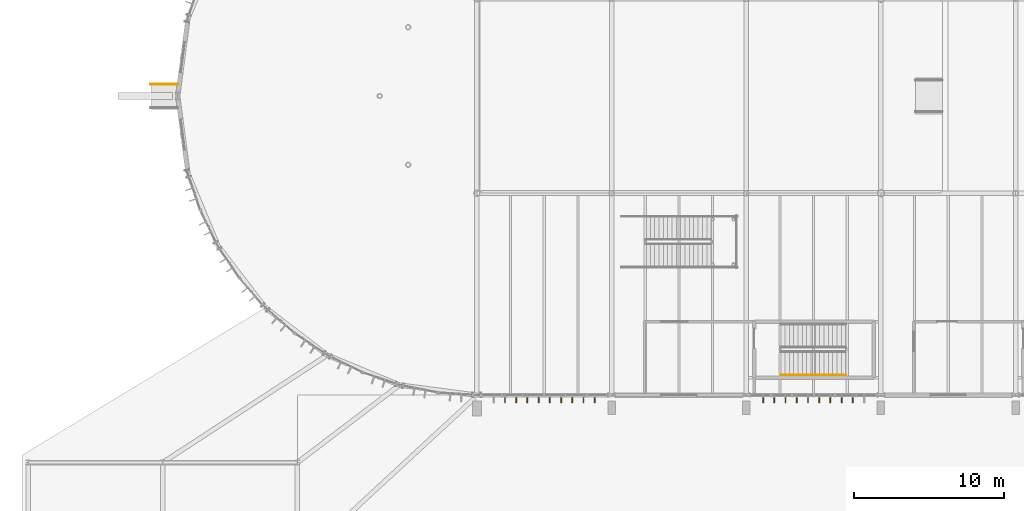
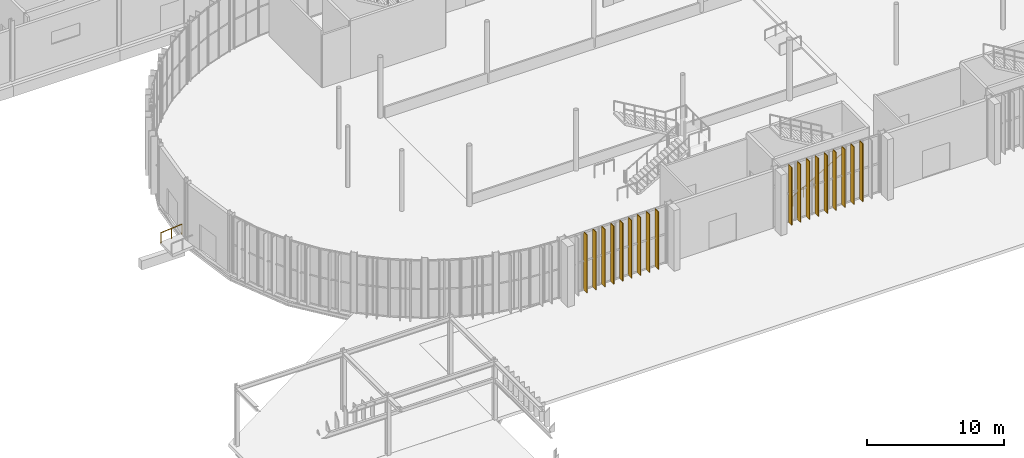
# One storey, part 141 of 158: 18 coverings, 2 railings, 1 element without a shape of its own.
"""IFC4 building model written with IfcOpenShell, lengths in metres."""

from ifc_helpers import new_model, si_unit, derived_unit, direction, frame, origin, origin_2d, place, context, subcontext, project, spatial, rectangle, circle, extrude, material, layer, layer_set, type_object, element, aggregate, save


model = new_model("IFC4")

# Units and contexts
model_context = context("Model", 3, precision=1e-05, world=origin(), true_north=direction((0.0, 1.0)))
body_context = subcontext(model_context, "Body", "Model", "MODEL_VIEW")
ifc_project = project(units=[si_unit("LENGTHUNIT", "METRE"), si_unit("AREAUNIT", "SQUARE_METRE"), si_unit("VOLUMEUNIT", "CUBIC_METRE"), si_unit("PLANEANGLEUNIT", "RADIAN"), si_unit("MASSUNIT", "GRAM", prefix="KILO"), si_unit("THERMODYNAMICTEMPERATUREUNIT", "KELVIN"), si_unit("TIMEUNIT", "SECOND"), derived_unit("THERMALTRANSMITTANCEUNIT", [(si_unit("MASSUNIT", "GRAM", prefix="KILO"), 1), (si_unit("THERMODYNAMICTEMPERATUREUNIT", "KELVIN"), -1), (si_unit("TIMEUNIT", "SECOND"), -3)])], contexts=[model_context])

# Site, building, storey
site_placement = place(None, origin())
site = spatial("IfcSite", under=ifc_project, at=site_placement, CompositionType="ELEMENT")
building_placement = place(site_placement, origin())
building = spatial("IfcBuilding", under=site, at=building_placement, Name="Cambertide Market Hall", CompositionType="ELEMENT")
storey_placement = place(building_placement, origin())
storey = spatial("IfcBuildingStorey", under=building, at=storey_placement, Name="L01", CompositionType="ELEMENT", Elevation=0.0)

# Ramp, railing
ifc_material_1 = material(Name="Flamed Central-Vietnam Granite Paving", Category="masonry")
ramp_type = type_object("IfcRampType", Name="Exterior Accessible Entry Ramp", PredefinedType="STRAIGHT_RUN_RAMP", material=ifc_material_1)
ramp_placement = place(storey_placement, origin())
ramp = element("IfcRamp", 1, at=ramp_placement, inside=storey, type_object=ramp_type, Name="West Main Hall Accessible Ramp PR-01", PredefinedType="STRAIGHT_RUN_RAMP")
ifc_material_2 = material(Name="Stainless Steel Grade 316", Category="metal")
railing_type_1 = type_object("IfcRailingType", Name="Exterior Plinth Ramp Handrail 920", PredefinedType="HANDRAIL", material=ifc_material_2)
railing_1_placement = place(storey_placement, frame((20.199951171875, 72.7919921875, -0.14990234375)))
railing_1 = element("IfcRailing", 2, at=railing_1_placement, type_object=railing_type_1, Name="West Main Hall Accessible Ramp PR-01 Handrail 2", PredefinedType="HANDRAIL", context=body_context, shape_type="SweptSolid", body=[
    extrude(circle(Radius=0.02392578125, at=origin_2d()), frame((0.0, 0.0, 0.89599609375), z_axis=(0.996550417439, 0.0, 0.082989550564), x_axis=(0.0, 1.0, 0.0)), (0.0, 0.0, 1.0), 1.806396484375),
    extrude(circle(Radius=0.02099609375, at=origin_2d()), origin(), (0.0, 0.0, 1.0), 0.871826171875),
    extrude(circle(Radius=0.02099609375, at=origin_2d()), frame((0.89990234375, 0.0, 0.074951171875)), (0.0, 0.0, 1.0), 0.871826171875),
    extrude(circle(Radius=0.02099609375, at=origin_2d()), frame((1.800048828125, 0.0, 0.14990234375)), (0.0, 0.0, 1.0), 0.871826171875),
])
aggregate(ramp, [railing_1])

# Railing
ifc_material_3 = material(Name="Stainless Steel Grade 316", Category="metal")
railing_type_2 = type_object("IfcRailingType", Name="Stair Wall Handrail 900", PredefinedType="HANDRAIL", material=ifc_material_3)
railing_2_placement = place(storey_placement, frame((62.300048828125, 53.35009765625, 0.168701171875)))
element("IfcRailing", 3, at=railing_2_placement, inside=storey, type_object=railing_type_2, Name="Level 1 ST-02 stair handrail 1", PredefinedType="HANDRAIL", context=body_context, shape_type="SweptSolid", body=[
    extrude(circle(Radius=0.02392578125, at=origin_2d()), frame((0.0, 0.0, 0.8759765625), z_axis=(0.864311530196, 0.0, 0.502956835891), x_axis=(0.0, 1.0, 0.0)), (0.0, 0.0, 1.0), 5.03271484375),
    extrude(circle(Radius=0.02099609375, at=origin_2d()), origin(), (0.0, 0.0, 1.0), 0.851806640625),
    extrude(circle(Radius=0.02099609375, at=origin_2d()), frame((0.869873046875, 0.0, 0.50634765625)), (0.0, 0.0, 1.0), 0.851806640625),
    extrude(circle(Radius=0.02099609375, at=origin_2d()), frame((1.739990234375, 0.0, 1.012451171875)), (0.0, 0.0, 1.0), 0.851806640625),
    extrude(circle(Radius=0.02099609375, at=origin_2d()), frame((2.60986328125, 0.0, 1.518798828125)), (0.0, 0.0, 1.0), 0.851806640625),
    extrude(circle(Radius=0.02099609375, at=origin_2d()), frame((3.47998046875, 0.0, 2.02490234375)), (0.0, 0.0, 1.0), 0.851806640625),
    extrude(circle(Radius=0.02099609375, at=origin_2d()), frame((4.349853515625, 0.0, 2.53125)), (0.0, 0.0, 1.0), 0.851806640625),
])

# Coverings
ifc_material_4 = material(Name="White Marine Anodized Aluminium 6063-T6 AA25", Category="aluminium")
ifc_layer = layer(ifc_material_4, 0.06005859375, Name="White Anodized Lantern Vertical Fin 480x60")
ifc_layer_set = layer_set([ifc_layer], Name="White Marine Anodized Aluminium 6063-T6 AA25")
covering_type = type_object("IfcCoveringType", Name="White Anodized Lantern Vertical Fin 480x60", PredefinedType="CLADDING", material=ifc_layer_set)
for number, where, z_axis, x_axis, name in (
    (4, (49.875, 51.739990234375, 0.0), (0.0, 0.0, 1.0), (-1.0, 0.0, 0.0), "CW-V1S-L01-1 Vertical Fin 1"),
    (5, (49.125, 51.739990234375, 0.0), (0.0, 0.0, 1.0), (-1.0, 0.0, 0.0), "CW-V1S-L01-1 Vertical Fin 2"),
    (6, (48.375, 51.739990234375, 0.0), (0.0, 0.0, 1.0), (-1.0, 0.0, 0.0), "CW-V1S-L01-1 Vertical Fin 3"),
    (7, (47.625, 51.739990234375, 0.0), (0.0, 0.0, 1.0), (-1.0, 0.0, 0.0), "CW-V1S-L01-1 Vertical Fin 4"),
    (8, (46.875, 51.739990234375, 0.0), (0.0, 0.0, 1.0), (-1.0, 0.0, 0.0), "CW-V1S-L01-1 Vertical Fin 5"),
    (9, (46.125, 51.739990234375, 0.0), (0.0, 0.0, 1.0), (-1.0, 0.0, 0.0), "CW-V1S-L01-1 Vertical Fin 6"),
    (10, (45.375, 51.739990234375, 0.0), (0.0, 0.0, 1.0), (-1.0, 0.0, 0.0), "CW-V1S-L01-1 Vertical Fin 7"),
    (11, (44.625, 51.739990234375, 0.0), (0.0, 0.0, 1.0), (-1.0, 0.0, 0.0), "CW-V1S-L01-1 Vertical Fin 8"),
    (12, (43.875, 51.739990234375, 0.0), (0.0, 0.0, 1.0), (-1.0, 0.0, 0.0), "CW-V1S-L01-1 Vertical Fin 9"),
    (13, (67.125, 51.739990234375, 0.0), (0.0, 0.0, 1.0), (-1.0, 0.0, 0.0), "CW-V1S-L01-3 Vertical Fin 2"),
    (14, (66.375, 51.739990234375, 0.0), (0.0, 0.0, 1.0), (-1.0, 0.0, 0.0), "CW-V1S-L01-3 Vertical Fin 3"),
    (15, (65.625, 51.739990234375, 0.0), (0.0, 0.0, 1.0), (-1.0, 0.0, 0.0), "CW-V1S-L01-3 Vertical Fin 4"),
    (16, (64.875, 51.739990234375, 0.0), (0.0, 0.0, 1.0), (-1.0, 0.0, 0.0), "CW-V1S-L01-3 Vertical Fin 5"),
    (17, (64.125, 51.739990234375, 0.0), (0.0, 0.0, 1.0), (-1.0, 0.0, 0.0), "CW-V1S-L01-3 Vertical Fin 6"),
    (18, (63.375, 51.739990234375, 0.0), (0.0, 0.0, 1.0), (-1.0, 0.0, 0.0), "CW-V1S-L01-3 Vertical Fin 7"),
    (19, (62.625, 51.739990234375, 0.0), (0.0, 0.0, 1.0), (-1.0, 0.0, 0.0), "CW-V1S-L01-3 Vertical Fin 8"),
    (20, (61.875, 51.739990234375, 0.0), (0.0, 0.0, 1.0), (-1.0, 0.0, 0.0), "CW-V1S-L01-3 Vertical Fin 9"),
    (21, (61.125, 51.739990234375, 0.0), (0.0, 0.0, 1.0), (-1.0, 0.0, 0.0), "CW-V1S-L01-3 Vertical Fin 10"),
):
    element("IfcCovering", number, at=place(storey_placement, frame(where, z_axis=z_axis, x_axis=x_axis)), inside=storey, type_object=covering_type, Name=name, PredefinedType="CLADDING", context=body_context, shape_type="SweptSolid", body=[
        extrude(rectangle(XDim=0.06005859375, YDim=0.47998046875, at=origin_2d()), origin(), (0.0, 0.0, 1.0), 5.159912109375),
    ])

save(model, "model.ifc")
